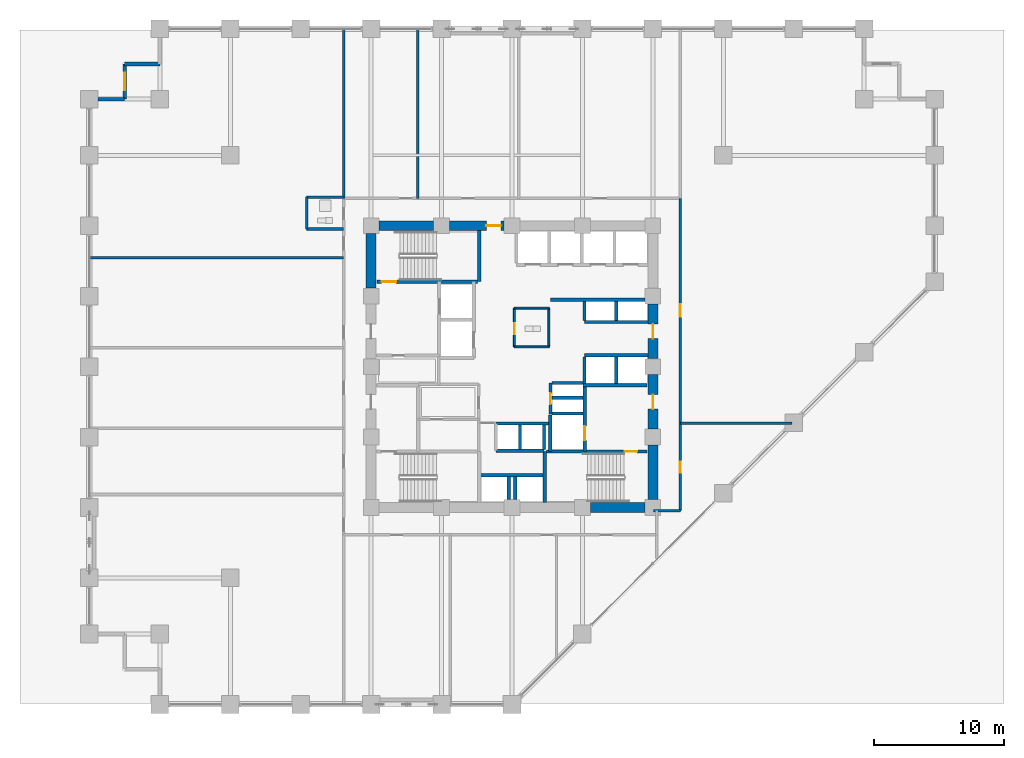
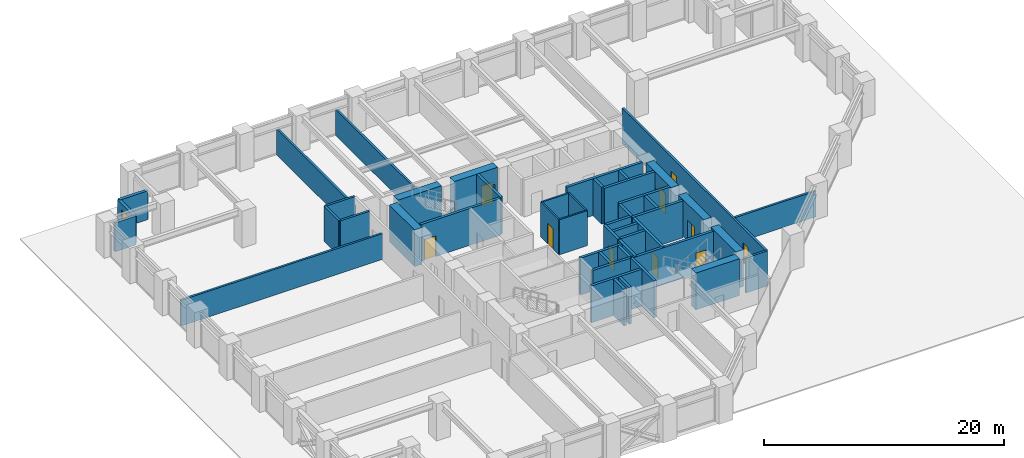
# One storey, part 21 of 27: 48 walls, 10 doors, 1 window, 11 openings.
"""IFC4 building model written with IfcOpenShell, lengths in metres."""

from ifc_helpers import new_model, si_unit, direction, frame, frame_2d, origin, place, context, subcontext, project, spatial, rectangle, extrude, material, layer, layer_set, type_object, element, fill, save


model = new_model("IFC4")

# Units and contexts
model_context = context("Model", 3, precision=1e-05, world=origin(), true_north=direction((0.0, 1.0)))
body_context = subcontext(model_context, "Body", "Model", "MODEL_VIEW")
ifc_project = project(units=[si_unit("LENGTHUNIT", "METRE"), si_unit("AREAUNIT", "SQUARE_METRE"), si_unit("VOLUMEUNIT", "CUBIC_METRE"), si_unit("PLANEANGLEUNIT", "RADIAN"), si_unit("MASSUNIT", "GRAM", prefix="KILO")], contexts=[model_context])

# Site, building, storey
site_placement = place(None, origin())
site = spatial("IfcSite", under=ifc_project, at=site_placement, CompositionType="ELEMENT")
building_placement = place(site_placement, origin())
building = spatial("IfcBuilding", under=site, at=building_placement, Name="Surkhivell Harbour Commons", CompositionType="ELEMENT")
storey_placement = place(building_placement, frame((0.0, 0.0, 22.5)))
storey = spatial("IfcBuildingStorey", under=building, at=storey_placement, Name="L05", CompositionType="ELEMENT", Elevation=22.5)

# Walls
ifc_material_1 = material(Name="Concrete C60/75", Category="concrete")
ifc_layer_1 = layer(ifc_material_1, 0.75)
ifc_layer_set_1 = layer_set([ifc_layer_1], Name="Concrete C60/75")
wall_type_1 = type_object("IfcWallType", Name="WAL-CORE-750", PredefinedType="SHEAR", material=ifc_layer_set_1)
for number, where, z_axis, x_axis, name in (
    (1, (-10.18994140625, 10.800048828125, 0.0), (0.0, 0.0, 1.0), (1.0, 0.0, 0.0), "L05 Core Shear Wall North 1"),
    (2, (10.800048828125, -10.18994140625, 0.0), (0.0, 0.0, 1.0), (0.0, 1.0, 0.0), "L05 Core Shear Wall East 1"),
):
    element("IfcWall", number, at=place(storey_placement, frame(where, z_axis=z_axis, x_axis=x_axis)), inside=storey, type_object=wall_type_1, Name=name, PredefinedType="SHEAR", context=body_context, shape_type="SweptSolid", body=[
        extrude(rectangle(XDim=4.179931640625, YDim=0.75, at=frame_2d((2.08984375, 0.0))), origin(), (0.0, 0.0, 1.0), 3.75),
    ])

# Wall, opening, door
wall_1_placement = place(storey_placement, frame((-4.7900390625, 10.800048828125, 0.0), z_axis=(0.0, 0.0, 1.0), x_axis=(1.0, 0.0, 0.0)))
wall_1 = element("IfcWall", 3, at=wall_1_placement, inside=storey, type_object=wall_type_1, Name="L05 Core Shear Wall North 2", PredefinedType="SHEAR", context=body_context, shape_type="SweptSolid", body=[
    extrude(rectangle(XDim=4.179931640625, YDim=0.75, at=frame_2d((2.08984375, 0.0))), origin(), (0.0, 0.0, 1.0), 3.75),
])
opening_1_placement = place(wall_1_placement, frame((2.830078125, 0.0, 0.0)))
opening_1 = element("IfcOpeningElement", 4, at=opening_1_placement, cuts=wall_1, Name="Opening ID-2", PredefinedType="OPENING", context=body_context, shape_type="SweptSolid", body=[
    extrude(rectangle(XDim=1.10009765625, YDim=2.10009765625, at=frame_2d((0.550048828125, 1.050048828125))), frame((0.0, 0.385009765625, 0.0), z_axis=(0.0, -1.0, 0.0), x_axis=(1.0, 0.0, 0.0)), (0.0, 0.0, 1.0), 0.77001953125),
])
ifc_material_2 = material(Name="Hardwood-veneered fire-rated door leaf", Category="wood")
door_type_1 = type_object("IfcDoorType", Name="DOR-FD60-1100", OperationType="NOTDEFINED", PredefinedType="DOOR", material=ifc_material_2)
door_1_placement = place(opening_1_placement, origin())
door_1 = element("IfcDoor", 5, at=door_1_placement, inside=storey, type_object=door_type_1, Name="L05 Central Core Lift Hall North Corridor Door", OperationType="SINGLE_SWING_LEFT", OverallHeight=2.10009765625, OverallWidth=1.10009765625, PredefinedType="DOOR", context=body_context, shape_type="SweptSolid", body=[
    extrude(rectangle(XDim=1.10009765625, YDim=2.10009765625, at=frame_2d((0.550048828125, 1.050048828125))), frame((0.0, 0.02490234375, 0.0), z_axis=(0.0, -1.0, 0.0), x_axis=(1.0, 0.0, 0.0)), (0.0, 0.0, 1.0), 0.050048828125),
])
fill(opening_1, door_1)

wall_2_placement = place(storey_placement, frame((10.800048828125, -4.7900390625, 0.0), z_axis=(0.0, 0.0, 1.0), x_axis=(0.0, 1.0, 0.0)))
wall_2 = element("IfcWall", 6, at=wall_2_placement, inside=storey, type_object=wall_type_1, Name="L05 Core Shear Wall East 2", PredefinedType="SHEAR", context=body_context, shape_type="SweptSolid", body=[
    extrude(rectangle(XDim=4.179931640625, YDim=0.75, at=frame_2d((2.08984375, 0.0))), origin(), (0.0, 0.0, 1.0), 3.75),
])
opening_2_placement = place(wall_2_placement, frame((1.5400390625, 0.0, 0.0)))
opening_2 = element("IfcOpeningElement", 7, at=opening_2_placement, cuts=wall_2, Name="Opening ID-1", PredefinedType="OPENING", context=body_context, shape_type="SweptSolid", body=[
    extrude(rectangle(XDim=1.10009765625, YDim=2.10009765625, at=frame_2d((0.550048828125, 1.050048828125))), frame((0.0, 0.385009765625, 0.0), z_axis=(0.0, -1.0, 0.0), x_axis=(1.0, 0.0, 0.0)), (0.0, 0.0, 1.0), 0.77001953125),
])
door_type_2 = type_object("IfcDoorType", Name="DOR-FD120-1100", OperationType="NOTDEFINED", PredefinedType="DOOR", material=ifc_material_2)
door_2_placement = place(opening_2_placement, origin())
door_2 = element("IfcDoor", 8, at=door_2_placement, inside=storey, type_object=door_type_2, Name="L05 Firefighting Lobby 2 Corridor Door", OperationType="SINGLE_SWING_RIGHT", OverallHeight=2.10009765625, OverallWidth=1.10009765625, PredefinedType="DOOR", context=body_context, shape_type="SweptSolid", body=[
    extrude(rectangle(XDim=1.10009765625, YDim=2.10009765625, at=frame_2d((0.550048828125, 1.050048828125))), frame((0.0, 0.02490234375, 0.0), z_axis=(0.0, -1.0, 0.0), x_axis=(1.0, 0.0, 0.0)), (0.0, 0.0, 1.0), 0.050048828125),
])
fill(opening_2, door_2)

wall_3_placement = place(storey_placement, frame((10.800048828125, 0.610107421875, 0.0), z_axis=(0.0, 0.0, 1.0), x_axis=(0.0, 1.0, 0.0)))
wall_3 = element("IfcWall", 9, at=wall_3_placement, inside=storey, type_object=wall_type_1, Name="L05 Core Shear Wall East 3", PredefinedType="SHEAR", context=body_context, shape_type="SweptSolid", body=[
    extrude(rectangle(XDim=4.179931640625, YDim=0.75, at=frame_2d((2.08984375, 0.0))), origin(), (0.0, 0.0, 1.0), 3.75),
])
opening_3_placement = place(wall_3_placement, frame((1.5400390625, 0.0, 0.0)))
opening_3 = element("IfcOpeningElement", 10, at=opening_3_placement, cuts=wall_3, Name="Opening ID-2", PredefinedType="OPENING", context=body_context, shape_type="SweptSolid", body=[
    extrude(rectangle(XDim=1.10009765625, YDim=2.10009765625, at=frame_2d((0.550048828125, 1.050048828125))), frame((0.0, 0.385009765625, 0.0), z_axis=(0.0, -1.0, 0.0), x_axis=(1.0, 0.0, 0.0)), (0.0, 0.0, 1.0), 0.77001953125),
])
door_3_placement = place(opening_3_placement, origin())
door_3 = element("IfcDoor", 11, at=door_3_placement, inside=storey, type_object=door_type_1, Name="L05 Mid-Rise Lobby East Door", OperationType="SINGLE_SWING_LEFT", OverallHeight=2.10009765625, OverallWidth=1.10009765625, PredefinedType="DOOR", context=body_context, shape_type="SweptSolid", body=[
    extrude(rectangle(XDim=1.10009765625, YDim=2.10009765625, at=frame_2d((0.550048828125, 1.050048828125))), frame((0.0, 0.02490234375, 0.0), z_axis=(0.0, -1.0, 0.0), x_axis=(1.0, 0.0, 0.0)), (0.0, 0.0, 1.0), 0.050048828125),
])
fill(opening_3, door_3)

# Walls
for number, where, z_axis, x_axis, name in (
    (12, (6.010009765625, -10.800048828125, 0.0), (0.0, 0.0, 1.0), (1.0, 0.0, 0.0), "L05 Core Shear Wall South 4"),
    (13, (-10.800048828125, 6.010009765625, 0.0), (0.0, 0.0, 1.0), (0.0, 1.0, 0.0), "L05 Core Shear Wall West 4"),
):
    element("IfcWall", number, at=place(storey_placement, frame(where, z_axis=z_axis, x_axis=x_axis)), inside=storey, type_object=wall_type_1, Name=name, PredefinedType="SHEAR", context=body_context, shape_type="SweptSolid", body=[
        extrude(rectangle(XDim=4.179931640625, YDim=0.75, at=frame_2d((2.08984375, 0.0))), origin(), (0.0, 0.0, 1.0), 3.75),
    ])
ifc_material_3 = material(Name="Terracotta-clad reinforced concrete C45/55", Category="masonry")
ifc_layer_2 = layer(ifc_material_3, 0.280029296875)
ifc_layer_set_2 = layer_set([ifc_layer_2], Name="Terracotta-clad reinforced concrete C45/55")
wall_type_2 = type_object("IfcWallType", Name="WAL-EXT-TER280", PredefinedType="STANDARD", material=ifc_layer_set_2)
wall_4_placement = place(storey_placement, frame((-27.0, 23.199951171875, 0.0), z_axis=(0.0, 0.0, 1.0), x_axis=(-1.0, 0.0, 0.0)))
element("IfcWall", 14, at=wall_4_placement, inside=storey, type_object=wall_type_2, Name="L05 Serrated Corner Facade Wall 09", PredefinedType="STANDARD", context=body_context, shape_type="SweptSolid", body=[
    extrude(rectangle(XDim=2.699951171875, YDim=0.280029296875, at=frame_2d((1.35009765625, 0.0))), origin(), (0.0, 0.0, 1.0), 2.929931640625),
])

# Wall, opening, window
wall_5_placement = place(storey_placement, frame((-29.699951171875, 23.199951171875, 0.0), z_axis=(0.0, 0.0, 1.0), x_axis=(0.0, -1.0, 0.0)))
wall_5 = element("IfcWall", 15, at=wall_5_placement, inside=storey, type_object=wall_type_2, Name="L05 Serrated Corner Facade Wall 10", PredefinedType="STANDARD", context=body_context, shape_type="SweptSolid", body=[
    extrude(rectangle(XDim=2.699951171875, YDim=0.280029296875, at=frame_2d((1.35009765625, 0.0))), origin(), (0.0, 0.0, 1.0), 2.929931640625),
])
opening_4_placement = place(wall_5_placement, frame((0.675048828125, 0.0, 0.64990234375)))
opening_4 = element("IfcOpeningElement", 16, at=opening_4_placement, cuts=wall_5, Name="Opening WN-08", PredefinedType="OPENING", context=body_context, shape_type="SweptSolid", body=[
    extrude(rectangle(XDim=1.35009765625, YDim=1.64990234375, at=frame_2d((0.675048828125, 0.824951171875))), frame((0.0, 0.14990234375, 0.0), z_axis=(0.0, -1.0, 0.0), x_axis=(1.0, 0.0, 0.0)), (0.0, 0.0, 1.0), 0.300048828125),
])
ifc_material_4 = material(Name="Thermal-break aluminium frame and double low-E glazing", Category="aluminium")
window_type = type_object("IfcWindowType", Name="WIN-SER-1350x1650", PartitioningType="SINGLE_PANEL", PredefinedType="WINDOW", material=ifc_material_4)
window_placement = place(opening_4_placement, origin())
window = element("IfcWindow", 17, at=window_placement, inside=storey, type_object=window_type, Name="L05 Serrated Alcove Window 10", OverallHeight=1.64990234375, OverallWidth=1.35009765625, PartitioningType="SINGLE_PANEL", PredefinedType="WINDOW", context=body_context, shape_type="SweptSolid", body=[
    extrude(rectangle(XDim=1.35009765625, YDim=1.64990234375, at=frame_2d((0.675048828125, 0.824951171875))), frame((0.0, 0.030029296875, 0.0), z_axis=(0.0, -1.0, 0.0), x_axis=(1.0, 0.0, 0.0)), (0.0, 0.0, 1.0), 0.06005859375),
])
fill(opening_4, window)

# Walls
wall_6_placement = place(storey_placement, frame((-29.699951171875, 20.5, 0.0), z_axis=(0.0, 0.0, 1.0), x_axis=(-1.0, 0.0, 0.0)))
element("IfcWall", 18, at=wall_6_placement, inside=storey, type_object=wall_type_2, Name="L05 Serrated Corner Facade Wall 11", PredefinedType="STANDARD", context=body_context, shape_type="SweptSolid", body=[
    extrude(rectangle(XDim=2.027099609375, YDim=0.280029296875, at=frame_2d((1.013671875, 0.0))), origin(), (0.0, 0.0, 1.0), 2.929931640625),
])
ifc_material_5 = material(Name="Twin-stud acoustic fireboard partition", Category="other")
ifc_layer_3 = layer(ifc_material_5, 0.14990234375)
ifc_layer_set_3 = layer_set([ifc_layer_3], Name="Twin-stud acoustic fireboard partition")
wall_type_3 = type_object("IfcWallType", Name="WAL-INT-150", PredefinedType="PARTITIONING", material=ifc_layer_set_3)
wall_7_placement = place(storey_placement, frame((2.820068359375, 1.52001953125, 0.0), z_axis=(0.0, 0.0, 1.0), x_axis=(0.0, 1.0, 0.0)))
element("IfcWall", 19, at=wall_7_placement, inside=storey, type_object=wall_type_3, Name="L05 Core Accessible WC East Wall", PredefinedType="PARTITIONING", context=body_context, shape_type="SweptSolid", body=[
    extrude(rectangle(XDim=2.9599609375, YDim=0.14990234375, at=frame_2d((1.47998046875, 0.0))), origin(), (0.0, 0.0, 1.0), 3.570068359375),
])
for number, where, z_axis, x_axis, name in (
    (20, (0.179931640625, 4.47998046875, 0.0), (0.0, 0.0, 1.0), (1.0, 0.0, 0.0), "L05 Core Accessible WC North Wall"),
    (21, (0.179931640625, 1.52001953125, 0.0), (0.0, 0.0, 1.0), (1.0, 0.0, 0.0), "L05 Core Accessible WC South Wall"),
):
    element("IfcWall", number, at=place(storey_placement, frame(where, z_axis=z_axis, x_axis=x_axis)), inside=storey, type_object=wall_type_3, Name=name, PredefinedType="PARTITIONING", context=body_context, shape_type="SweptSolid", body=[
        extrude(rectangle(XDim=2.670166015625, YDim=0.14990234375, at=frame_2d((1.3349609375, 0.0))), origin(), (0.0, 0.0, 1.0), 3.570068359375),
    ])

# Wall, opening, door
wall_8_placement = place(storey_placement, frame((0.179931640625, 1.52001953125, 0.0), z_axis=(0.0, 0.0, 1.0), x_axis=(0.0, 1.0, 0.0)))
wall_8 = element("IfcWall", 22, at=wall_8_placement, inside=storey, type_object=wall_type_3, Name="L05 Core Accessible WC West Wall", PredefinedType="PARTITIONING", context=body_context, shape_type="SweptSolid", body=[
    extrude(rectangle(XDim=2.9599609375, YDim=0.14990234375, at=frame_2d((1.47998046875, 0.0))), origin(), (0.0, 0.0, 1.0), 3.570068359375),
])
opening_5_placement = place(wall_8_placement, frame((0.949951171875, 0.0, 0.0)))
opening_5 = element("IfcOpeningElement", 23, at=opening_5_placement, cuts=wall_8, Name="Opening ID-6", PredefinedType="OPENING", context=body_context, shape_type="SweptSolid", body=[
    extrude(rectangle(XDim=0.85009765625, YDim=2.10009765625, at=frame_2d((0.425048828125, 1.050048828125))), frame((0.0, 0.0849609375, 0.0), z_axis=(0.0, -1.0, 0.0), x_axis=(1.0, 0.0, 0.0)), (0.0, 0.0, 1.0), 0.169921875),
])
door_type_3 = type_object("IfcDoorType", Name="DOR-FD30-850", OperationType="NOTDEFINED", PredefinedType="DOOR", material=ifc_material_2)
door_4_placement = place(opening_5_placement, origin())
door_4 = element("IfcDoor", 24, at=door_4_placement, inside=storey, type_object=door_type_3, Name="L05 Floor Accessible WC Door", OperationType="SINGLE_SWING_RIGHT", OverallHeight=2.10009765625, OverallWidth=0.85009765625, PredefinedType="DOOR", context=body_context, shape_type="SweptSolid", body=[
    extrude(rectangle(XDim=0.85009765625, YDim=2.10009765625, at=frame_2d((0.425048828125, 1.050048828125))), frame((0.0, 0.02490234375, 0.0), z_axis=(0.0, -1.0, 0.0), x_axis=(1.0, 0.0, 0.0)), (0.0, 0.0, 1.0), 0.050048828125),
])
fill(opening_5, door_4)

# Wall
ifc_material_6 = material(Name="Autoclaved aerated concrete blockwork and fire plaster", Category="masonry")
ifc_layer_4 = layer(ifc_material_6, 0.199951171875)
ifc_layer_set_4 = layer_set([ifc_layer_4], Name="Autoclaved aerated concrete blockwork and fire plaster")
wall_type_4 = type_object("IfcWallType", Name="WAL-INT-200", PredefinedType="PARTITIONING", material=ifc_layer_set_4)
wall_9_placement = place(storey_placement, frame((-12.89990234375, 12.89990234375, 0.0), z_axis=(0.0, 0.0, 1.0), x_axis=(0.0, 1.0, 0.0)))
element("IfcWall", 25, at=wall_9_placement, inside=storey, type_object=wall_type_4, Name="L05 North-West Wing Corner Divider", PredefinedType="PARTITIONING", context=body_context, shape_type="SweptSolid", body=[
    extrude(rectangle(XDim=12.940185546875, YDim=0.199951171875, at=frame_2d((6.47021484375, 0.0))), origin(), (0.0, 0.0, 1.0), 2.62890625),
])

# Wall, openings, doors
wall_10_placement = place(storey_placement, frame((12.89990234375, -11.0400390625, 0.0), z_axis=(0.0, 0.0, 1.0), x_axis=(0.0, 1.0, 0.0)))
wall_10 = element("IfcWall", 26, at=wall_10_placement, inside=storey, type_object=wall_type_4, Name="L05 Corridor East Wall", PredefinedType="PARTITIONING", context=body_context, shape_type="SweptSolid", body=[
    extrude(rectangle(XDim=23.93994140625, YDim=0.199951171875, at=frame_2d((11.969970703125, 0.0))), origin(), (0.0, 0.0, 1.0), 3.570068359375),
])
opening_6_placement = place(wall_10_placement, frame((2.89990234375, 0.0, 0.0)))
opening_6 = element("IfcOpeningElement", 27, at=opening_6_placement, cuts=wall_10, Name="Opening ID-6", PredefinedType="OPENING", context=body_context, shape_type="SweptSolid", body=[
    extrude(rectangle(XDim=0.85009765625, YDim=2.10009765625, at=frame_2d((0.425048828125, 1.050048828125))), frame((0.0, 0.10986328125, 0.0), z_axis=(0.0, -1.0, 0.0), x_axis=(1.0, 0.0, 0.0)), (0.0, 0.0, 1.0), 0.219970703125),
])
opening_7_placement = place(wall_10_placement, frame((14.8701171875, 0.0, 0.0)))
opening_7 = element("IfcOpeningElement", 28, at=opening_7_placement, cuts=wall_10, Name="Opening ID-4", PredefinedType="OPENING", context=body_context, shape_type="SweptSolid", body=[
    extrude(rectangle(XDim=0.949951171875, YDim=2.10009765625, at=frame_2d((0.47509765625, 1.050048828125))), frame((0.0, 0.10986328125, 0.0), z_axis=(0.0, -1.0, 0.0), x_axis=(1.0, 0.0, 0.0)), (0.0, 0.0, 1.0), 0.219970703125),
])
door_5_placement = place(opening_6_placement, origin())
door_5 = element("IfcDoor", 29, at=door_5_placement, inside=storey, type_object=door_type_3, Name="L05 Shared Communal Kitchen A East Door", OperationType="SINGLE_SWING_LEFT", OverallHeight=2.10009765625, OverallWidth=0.85009765625, PredefinedType="DOOR", context=body_context, shape_type="SweptSolid", body=[
    extrude(rectangle(XDim=0.85009765625, YDim=2.10009765625, at=frame_2d((0.425048828125, 1.050048828125))), frame((0.0, 0.02490234375, 0.0), z_axis=(0.0, -1.0, 0.0), x_axis=(1.0, 0.0, 0.0)), (0.0, 0.0, 1.0), 0.050048828125),
])
fill(opening_6, door_5)
door_type_4 = type_object("IfcDoorType", Name="DOR-FD60-950", OperationType="NOTDEFINED", PredefinedType="DOOR", material=ifc_material_2)
door_6_placement = place(opening_7_placement, origin())
door_6 = element("IfcDoor", 30, at=door_6_placement, inside=storey, type_object=door_type_4, Name="L05 Shared Communal Kitchen B East Door", OperationType="SINGLE_SWING_RIGHT", OverallHeight=2.10009765625, OverallWidth=0.949951171875, PredefinedType="DOOR", context=body_context, shape_type="SweptSolid", body=[
    extrude(rectangle(XDim=0.949951171875, YDim=2.10009765625, at=frame_2d((0.47509765625, 1.050048828125))), frame((0.0, 0.02490234375, 0.0), z_axis=(0.0, -1.0, 0.0), x_axis=(1.0, 0.0, 0.0)), (0.0, 0.0, 1.0), 0.050048828125),
])
fill(opening_7, door_6)

# Walls
wall_11_placement = place(storey_placement, frame((10.85009765625, -11.0400390625, 0.0), z_axis=(0.0, 0.0, 1.0), x_axis=(1.0, 0.0, 0.0)))
element("IfcWall", 31, at=wall_11_placement, inside=storey, type_object=wall_type_4, Name="L05 Corridor East South Closure Wall", PredefinedType="PARTITIONING", context=body_context, shape_type="SweptSolid", body=[
    extrude(rectangle(XDim=2.0498046875, YDim=0.199951171875, at=frame_2d((1.02490234375, 0.0))), origin(), (0.0, 0.0, 1.0), 3.570068359375),
])
wall_12_placement = place(storey_placement, frame((12.89990234375, -4.340087890625, 0.0), z_axis=(0.0, 0.0, 1.0), x_axis=(1.0, 0.0, 0.0)))
element("IfcWall", 32, at=wall_12_placement, inside=storey, type_object=wall_type_4, Name="L05 East Partition P1", PredefinedType="PARTITIONING", context=body_context, shape_type="SweptSolid", body=[
    extrude(rectangle(XDim=8.5751953125, YDim=0.199951171875, at=frame_2d((4.28759765625, 0.0))), origin(), (0.0, 0.0, 1.0), 2.62890625),
])
wall_13_placement = place(storey_placement, frame((-7.219970703125, 12.89990234375, 0.0), z_axis=(0.0, 0.0, 1.0), x_axis=(0.0, 1.0, 0.0)))
element("IfcWall", 33, at=wall_13_placement, inside=storey, type_object=wall_type_4, Name="L05 North Partition P1", PredefinedType="PARTITIONING", context=body_context, shape_type="SweptSolid", body=[
    extrude(rectangle(XDim=12.940185546875, YDim=0.199951171875, at=frame_2d((6.47021484375, 0.0))), origin(), (0.0, 0.0, 1.0), 2.62890625),
])
wall_14_placement = place(storey_placement, frame((-15.75, 10.550048828125, 0.0), z_axis=(0.0, 0.0, 1.0), x_axis=(0.0, 1.0, 0.0)))
element("IfcWall", 34, at=wall_14_placement, inside=storey, type_object=wall_type_4, Name="L05 West Partition BTHB", PredefinedType="PARTITIONING", context=body_context, shape_type="SweptSolid", body=[
    extrude(rectangle(XDim=2.449951171875, YDim=0.199951171875, at=frame_2d((1.22509765625, 0.0))), origin(), (0.0, 0.0, 1.0), 3.570068359375),
])
for number, where, z_axis, x_axis, name in (
    (35, (-15.75, 13.0, 0.0), (0.0, 0.0, 1.0), (1.0, 0.0, 0.0), "L05 West Partition BTHN"),
    (36, (-15.75, 10.550048828125, 0.0), (0.0, 0.0, 1.0), (1.0, 0.0, 0.0), "L05 West Partition BTHS"),
):
    element("IfcWall", number, at=place(storey_placement, frame(where, z_axis=z_axis, x_axis=x_axis)), inside=storey, type_object=wall_type_4, Name=name, PredefinedType="PARTITIONING", context=body_context, shape_type="SweptSolid", body=[
        extrude(rectangle(XDim=2.85009765625, YDim=0.199951171875, at=frame_2d((1.425048828125, 0.0))), origin(), (0.0, 0.0, 1.0), 3.570068359375),
    ])
wall_15_placement = place(storey_placement, frame((-32.340087890625, 8.35009765625, 0.0), z_axis=(0.0, 0.0, 1.0), x_axis=(1.0, 0.0, 0.0)))
element("IfcWall", 37, at=wall_15_placement, inside=storey, type_object=wall_type_4, Name="L05 West Partition PTOP", PredefinedType="PARTITIONING", context=body_context, shape_type="SweptSolid", body=[
    extrude(rectangle(XDim=19.440185546875, YDim=0.199951171875, at=frame_2d((9.72021484375, 0.0))), origin(), (0.0, 0.0, 1.0), 2.62890625),
])
ifc_material_7 = material(Name="Concrete C50/60", Category="concrete")
ifc_layer_5 = layer(ifc_material_7, 0.25)
ifc_layer_set_5 = layer_set([ifc_layer_5], Name="Concrete C50/60")
wall_type_5 = type_object("IfcWallType", Name="WAL-SHAFT-250", PredefinedType="SHEAR", material=ifc_layer_set_5)
wall_16_placement = place(storey_placement, frame((2.929931640625, -6.510009765625, 0.0), z_axis=(0.0, 0.0, 1.0), x_axis=(0.0, 1.0, 0.0)))
element("IfcWall", 38, at=wall_16_placement, inside=storey, type_object=wall_type_5, Name="L05 FFL2 West Shaft Wall", PredefinedType="SHEAR", context=body_context, shape_type="SweptSolid", body=[
    extrude(rectangle(XDim=2.7900390625, YDim=0.25, at=frame_2d((1.39501953125, 0.0))), origin(), (0.0, 0.0, 1.0), 3.75),
])
wall_17_placement = place(storey_placement, frame((5.43994140625, -1.419921875, 0.0), z_axis=(0.0, 0.0, 1.0), x_axis=(1.0, 0.0, 0.0)))
element("IfcWall", 39, at=wall_17_placement, inside=storey, type_object=wall_type_5, Name="L05 Firefighting Lobby 2 North Wall", PredefinedType="SHEAR", context=body_context, shape_type="SweptSolid", body=[
    extrude(rectangle(XDim=4.900146484375, YDim=0.25, at=frame_2d((2.4501953125, 0.0))), origin(), (0.0, 0.0, 1.0), 3.75),
])
wall_18_placement = place(storey_placement, frame((3.080078125, -3.60009765625, 0.0), z_axis=(0.0, 0.0, 1.0), x_axis=(1.0, 0.0, 0.0)))
element("IfcWall", 40, at=wall_18_placement, inside=storey, type_object=wall_type_5, Name="L05 FFL2 North Shaft Wall", PredefinedType="SHEAR", context=body_context, shape_type="SweptSolid", body=[
    extrude(rectangle(XDim=2.369873046875, YDim=0.25, at=frame_2d((1.18505859375, 0.0))), origin(), (0.0, 0.0, 1.0), 3.75),
])

# Wall, opening, door
wall_19_placement = place(storey_placement, frame((5.580078125, -6.510009765625, 0.0), z_axis=(0.0, 0.0, 1.0), x_axis=(0.0, 1.0, 0.0)))
wall_19 = element("IfcWall", 41, at=wall_19_placement, inside=storey, type_object=wall_type_5, Name="L05 Firefighting Lobby 2 West Shaft Wall", PredefinedType="SHEAR", context=body_context, shape_type="SweptSolid", body=[
    extrude(rectangle(XDim=5.090087890625, YDim=0.25, at=frame_2d((2.544921875, 0.0))), origin(), (0.0, 0.0, 1.0), 3.75),
])
opening_8_placement = place(wall_19_placement, frame((0.85009765625, 0.0, 0.0)))
opening_8 = element("IfcOpeningElement", 42, at=opening_8_placement, cuts=wall_19, Name="Opening LD-1", PredefinedType="OPENING", context=body_context, shape_type="SweptSolid", body=[
    extrude(rectangle(XDim=1.10009765625, YDim=2.10009765625, at=frame_2d((0.550048828125, 1.050048828125))), frame((0.0, 0.135009765625, 0.0), z_axis=(0.0, -1.0, 0.0), x_axis=(1.0, 0.0, 0.0)), (0.0, 0.0, 1.0), 0.27001953125),
])
ifc_material_8 = material(Name="Brushed stainless steel S355", Category="steel")
door_type_5 = type_object("IfcDoorType", Name="DOR-LD-1100", OperationType="SLIDING_TO_LEFT", PredefinedType="DOOR", material=ifc_material_8)
door_7_placement = place(opening_8_placement, origin())
door_7 = element("IfcDoor", 43, at=door_7_placement, inside=storey, type_object=door_type_5, Name="L05 Lift Landing Door LD-FFL2", OperationType="SLIDING_TO_RIGHT", OverallHeight=2.10009765625, OverallWidth=1.10009765625, PredefinedType="DOOR", context=body_context, shape_type="SweptSolid", body=[
    extrude(rectangle(XDim=1.10009765625, YDim=2.10009765625, at=frame_2d((0.550048828125, 1.050048828125))), frame((0.0, 0.02490234375, 0.0), z_axis=(0.0, -1.0, 0.0), x_axis=(1.0, 0.0, 0.0)), (0.0, 0.0, 1.0), 0.050048828125),
])
fill(opening_8, door_7)

# Walls
for number, where, z_axis, x_axis, name in (
    (44, (0.6201171875, -6.340087890625, 0.0), (0.0, 0.0, 1.0), (0.0, 1.0, 0.0), "L05 High-Rise Side Wall N"),
    (45, (2.449951171875, -6.340087890625, 0.0), (0.0, 0.0, 1.0), (0.0, 1.0, 0.0), "L05 High-Rise Side Wall N"),
):
    element("IfcWall", number, at=place(storey_placement, frame(where, z_axis=z_axis, x_axis=x_axis)), inside=storey, type_object=wall_type_5, Name=name, PredefinedType="SHEAR", context=body_context, shape_type="SweptSolid", body=[
        extrude(rectangle(XDim=1.880126953125, YDim=0.25, at=frame_2d((0.93994140625, 0.0))), origin(), (0.0, 0.0, 1.0), 3.75),
    ])
for number, where, z_axis, x_axis, name in (
    (46, (-0.25, -10.199951171875, 0.0), (0.0, 0.0, 1.0), (0.0, 1.0, 0.0), "L05 High-Rise Side Wall S"),
    (47, (0.25, -10.199951171875, 0.0), (0.0, 0.0, 1.0), (0.0, 1.0, 0.0), "L05 High-Rise Side Wall S"),
):
    element("IfcWall", number, at=place(storey_placement, frame(where, z_axis=z_axis, x_axis=x_axis)), inside=storey, type_object=wall_type_5, Name=name, PredefinedType="SHEAR", context=body_context, shape_type="SweptSolid", body=[
        extrude(rectangle(XDim=1.760009765625, YDim=0.25, at=frame_2d((0.8798828125, 0.0))), origin(), (0.0, 0.0, 1.0), 3.75),
    ])
wall_20_placement = place(storey_placement, frame((-1.219970703125, -6.43994140625, 0.0), z_axis=(0.0, 0.0, 1.0), x_axis=(1.0, 0.0, 0.0)))
element("IfcWall", 48, at=wall_20_placement, inside=storey, type_object=wall_type_5, Name="L05 High-Rise North Front Shaft Wall", PredefinedType="SHEAR", context=body_context, shape_type="SweptSolid", body=[
    extrude(rectangle(XDim=3.669921875, YDim=0.25, at=frame_2d((1.8349609375, 0.0))), origin(), (0.0, 0.0, 1.0), 3.75),
])
wall_21_placement = place(storey_placement, frame((-2.47998046875, -8.320068359375, 0.0), z_axis=(0.0, 0.0, 1.0), x_axis=(1.0, 0.0, 0.0)))
element("IfcWall", 49, at=wall_21_placement, inside=storey, type_object=wall_type_5, Name="L05 High-Rise South Front Shaft Wall", PredefinedType="SHEAR", context=body_context, shape_type="SweptSolid", body=[
    extrude(rectangle(XDim=4.929931640625, YDim=0.25, at=frame_2d((2.46484375, 0.0))), origin(), (0.0, 0.0, 1.0), 3.75),
])
wall_22_placement = place(storey_placement, frame((-1.219970703125, -4.360107421875, 0.0), z_axis=(0.0, 0.0, 1.0), x_axis=(1.0, 0.0, 0.0)))
element("IfcWall", 50, at=wall_22_placement, inside=storey, type_object=wall_type_5, Name="L05 High-Rise North Back Shaft Wall", PredefinedType="SHEAR", context=body_context, shape_type="SweptSolid", body=[
    extrude(rectangle(XDim=4.030029296875, YDim=0.25, at=frame_2d((2.01513671875, 0.0))), origin(), (0.0, 0.0, 1.0), 3.75),
])
wall_23_placement = place(storey_placement, frame((2.949951171875, 5.1201171875, 0.0), z_axis=(0.0, 0.0, 1.0), x_axis=(1.0, 0.0, 0.0)))
element("IfcWall", 51, at=wall_23_placement, inside=storey, type_object=wall_type_5, Name="L05 Low-Rise Lobby South Wall", PredefinedType="SHEAR", context=body_context, shape_type="SweptSolid", body=[
    extrude(rectangle(XDim=7.25, YDim=0.25, at=frame_2d((3.625, 0.0))), origin(), (0.0, 0.0, 1.0), 3.75),
])
for number, where, z_axis, x_axis, name in (
    (52, (5.550048828125, 3.550048828125, 0.0), (0.0, 0.0, 1.0), (0.0, 1.0, 0.0), "L05 Mid-Rise Shaft Side Wall N"),
    (53, (8.0, 3.550048828125, 0.0), (0.0, 0.0, 1.0), (0.0, 1.0, 0.0), "L05 Mid-Rise Shaft Side Wall N"),
):
    element("IfcWall", number, at=place(storey_placement, frame(where, z_axis=z_axis, x_axis=x_axis)), inside=storey, type_object=wall_type_5, Name=name, PredefinedType="SHEAR", context=body_context, shape_type="SweptSolid", body=[
        extrude(rectangle(XDim=1.449951171875, YDim=0.25, at=frame_2d((0.72509765625, 0.0))), origin(), (0.0, 0.0, 1.0), 3.75),
    ])
for number, where, z_axis, x_axis, name in (
    (54, (5.550048828125, -1.300048828125, 0.0), (0.0, 0.0, 1.0), (0.0, 1.0, 0.0), "L05 Mid-Rise Shaft Side Wall S"),
    (55, (8.0, -1.300048828125, 0.0), (0.0, 0.0, 1.0), (0.0, 1.0, 0.0), "L05 Mid-Rise Shaft Side Wall S"),
):
    element("IfcWall", number, at=place(storey_placement, frame(where, z_axis=z_axis, x_axis=x_axis)), inside=storey, type_object=wall_type_5, Name=name, PredefinedType="SHEAR", context=body_context, shape_type="SweptSolid", body=[
        extrude(rectangle(XDim=2.0400390625, YDim=0.25, at=frame_2d((1.02001953125, 0.0))), origin(), (0.0, 0.0, 1.0), 3.75),
    ])
for number, where, z_axis, x_axis, name in (
    (56, (5.550048828125, 3.429931640625, 0.0), (0.0, 0.0, 1.0), (1.0, 0.0, 0.0), "L05 Mid-Rise North Front Shaft Wall"),
    (57, (5.550048828125, 0.8701171875, 0.0), (0.0, 0.0, 1.0), (1.0, 0.0, 0.0), "L05 Mid-Rise South Front Shaft Wall"),
):
    element("IfcWall", number, at=place(storey_placement, frame(where, z_axis=z_axis, x_axis=x_axis)), inside=storey, type_object=wall_type_5, Name=name, PredefinedType="SHEAR", context=body_context, shape_type="SweptSolid", body=[
        extrude(rectangle(XDim=4.875, YDim=0.25, at=frame_2d((2.4375, 0.0))), origin(), (0.0, 0.0, 1.0), 3.75),
    ])
for number, where, z_axis, x_axis, name in (
    (58, (3.080078125, -2.3798828125, 0.0), (0.0, 0.0, 1.0), (1.0, 0.0, 0.0), "L05 Riser Divider Wall"),
    (59, (3.080078125, -1.25, 0.0), (0.0, 0.0, 1.0), (1.0, 0.0, 0.0), "L05 Riser North Wall"),
):
    element("IfcWall", number, at=place(storey_placement, frame(where, z_axis=z_axis, x_axis=x_axis)), inside=storey, type_object=wall_type_5, Name=name, PredefinedType="SHEAR", context=body_context, shape_type="SweptSolid", body=[
        extrude(rectangle(XDim=2.369873046875, YDim=0.25, at=frame_2d((1.18505859375, 0.0))), origin(), (0.0, 0.0, 1.0), 3.75),
    ])

# Wall, opening, door
wall_24_placement = place(storey_placement, frame((2.949951171875, -3.64990234375, 0.0), z_axis=(0.0, 0.0, 1.0), x_axis=(0.0, 1.0, 0.0)))
wall_24 = element("IfcWall", 60, at=wall_24_placement, inside=storey, type_object=wall_type_5, Name="L05 Riser Shaft West Wall", PredefinedType="SHEAR", context=body_context, shape_type="SweptSolid", body=[
    extrude(rectangle(XDim=2.39990234375, YDim=0.25, at=frame_2d((1.199951171875, 0.0))), origin(), (0.0, 0.0, 1.0), 3.75),
])
opening_9_placement = place(wall_24_placement, frame((0.77490234375, 0.0, 0.0)))
opening_9 = element("IfcOpeningElement", 61, at=opening_9_placement, cuts=wall_24, Name="Opening ID-6", PredefinedType="OPENING", context=body_context, shape_type="SweptSolid", body=[
    extrude(rectangle(XDim=0.85009765625, YDim=2.10009765625, at=frame_2d((0.425048828125, 1.050048828125))), frame((0.0, 0.135009765625, 0.0), z_axis=(0.0, -1.0, 0.0), x_axis=(1.0, 0.0, 0.0)), (0.0, 0.0, 1.0), 0.27001953125),
])
door_8_placement = place(opening_9_placement, origin())
door_8 = element("IfcDoor", 62, at=door_8_placement, inside=storey, type_object=door_type_3, Name="L05 Electrical Riser Access Door", OperationType="SINGLE_SWING_LEFT", OverallHeight=2.10009765625, OverallWidth=0.85009765625, PredefinedType="DOOR", context=body_context, shape_type="SweptSolid", body=[
    extrude(rectangle(XDim=0.85009765625, YDim=2.10009765625, at=frame_2d((0.425048828125, 1.050048828125))), frame((0.0, 0.02490234375, 0.0), z_axis=(0.0, -1.0, 0.0), x_axis=(1.0, 0.0, 0.0)), (0.0, 0.0, 1.0), 0.050048828125),
])
fill(opening_9, door_8)

# Wall
wall_25_placement = place(storey_placement, frame((-2.510009765625, 6.510009765625, 0.0), z_axis=(0.0, 0.0, 1.0), x_axis=(0.0, 1.0, 0.0)))
element("IfcWall", 63, at=wall_25_placement, inside=storey, type_object=wall_type_5, Name="L05 Stair ST1 East Shear Wall", PredefinedType="SHEAR", context=body_context, shape_type="SweptSolid", body=[
    extrude(rectangle(XDim=3.9150390625, YDim=0.25, at=frame_2d((1.95751953125, 0.0))), origin(), (0.0, 0.0, 1.0), 3.75),
])

# Wall, opening, door
wall_26_placement = place(storey_placement, frame((-10.340087890625, 6.510009765625, 0.0), z_axis=(0.0, 0.0, 1.0), x_axis=(1.0, 0.0, 0.0)))
wall_26 = element("IfcWall", 64, at=wall_26_placement, inside=storey, type_object=wall_type_5, Name="L05 Stair ST1 South Shear Wall", PredefinedType="SHEAR", context=body_context, shape_type="SweptSolid", body=[
    extrude(rectangle(XDim=7.7001953125, YDim=0.25, at=frame_2d((3.85009765625, 0.0))), origin(), (0.0, 0.0, 1.0), 3.75),
])
opening_10_placement = place(wall_26_placement, frame((0.35009765625, 0.0, 0.0)))
opening_10 = element("IfcOpeningElement", 65, at=opening_10_placement, cuts=wall_26, Name="Opening ID-2", PredefinedType="OPENING", context=body_context, shape_type="SweptSolid", body=[
    extrude(rectangle(XDim=1.10009765625, YDim=2.10009765625, at=frame_2d((0.550048828125, 1.050048828125))), frame((0.0, 0.135009765625, 0.0), z_axis=(0.0, -1.0, 0.0), x_axis=(1.0, 0.0, 0.0)), (0.0, 0.0, 1.0), 0.27001953125),
])
door_9_placement = place(opening_10_placement, origin())
door_9 = element("IfcDoor", 66, at=door_9_placement, inside=storey, type_object=door_type_1, Name="L05 Stair ST1 Exit Door", OperationType="SINGLE_SWING_LEFT", OverallHeight=2.10009765625, OverallWidth=1.10009765625, PredefinedType="DOOR", context=body_context, shape_type="SweptSolid", body=[
    extrude(rectangle(XDim=1.10009765625, YDim=2.10009765625, at=frame_2d((0.550048828125, 1.050048828125))), frame((0.0, 0.02490234375, 0.0), z_axis=(0.0, -1.0, 0.0), x_axis=(1.0, 0.0, 0.0)), (0.0, 0.0, 1.0), 0.050048828125),
])
fill(opening_10, door_9)

wall_27_placement = place(storey_placement, frame((2.639892578125, -6.510009765625, 0.0), z_axis=(0.0, 0.0, 1.0), x_axis=(1.0, 0.0, 0.0)))
wall_27 = element("IfcWall", 67, at=wall_27_placement, inside=storey, type_object=wall_type_5, Name="L05 Stair ST2 North Shear Wall", PredefinedType="SHEAR", context=body_context, shape_type="SweptSolid", body=[
    extrude(rectangle(XDim=7.7001953125, YDim=0.25, at=frame_2d((3.85009765625, 0.0))), origin(), (0.0, 0.0, 1.0), 3.75),
])
opening_11_placement = place(wall_27_placement, frame((6.0, 0.0, 0.0)))
opening_11 = element("IfcOpeningElement", 68, at=opening_11_placement, cuts=wall_27, Name="Opening ID-4", PredefinedType="OPENING", context=body_context, shape_type="SweptSolid", body=[
    extrude(rectangle(XDim=0.949951171875, YDim=2.10009765625, at=frame_2d((0.47509765625, 1.050048828125))), frame((0.0, 0.135009765625, 0.0), z_axis=(0.0, -1.0, 0.0), x_axis=(1.0, 0.0, 0.0)), (0.0, 0.0, 1.0), 0.27001953125),
])
door_10_placement = place(opening_11_placement, origin())
door_10 = element("IfcDoor", 69, at=door_10_placement, inside=storey, type_object=door_type_4, Name="L05 Stair ST2 Exit Door", OperationType="SINGLE_SWING_RIGHT", OverallHeight=2.10009765625, OverallWidth=0.949951171875, PredefinedType="DOOR", context=body_context, shape_type="SweptSolid", body=[
    extrude(rectangle(XDim=0.949951171875, YDim=2.10009765625, at=frame_2d((0.47509765625, 1.050048828125))), frame((0.0, 0.02490234375, 0.0), z_axis=(0.0, -1.0, 0.0), x_axis=(1.0, 0.0, 0.0)), (0.0, 0.0, 1.0), 0.050048828125),
])
fill(opening_11, door_10)

# Wall
wall_28_placement = place(storey_placement, frame((2.510009765625, -10.425048828125, 0.0), z_axis=(0.0, 0.0, 1.0), x_axis=(0.0, 1.0, 0.0)))
element("IfcWall", 70, at=wall_28_placement, inside=storey, type_object=wall_type_5, Name="L05 Stair ST2 West Shear Wall", PredefinedType="SHEAR", context=body_context, shape_type="SweptSolid", body=[
    extrude(rectangle(XDim=3.9150390625, YDim=0.25, at=frame_2d((1.95751953125, 0.0))), origin(), (0.0, 0.0, 1.0), 3.75),
])

save(model, "model.ifc")
